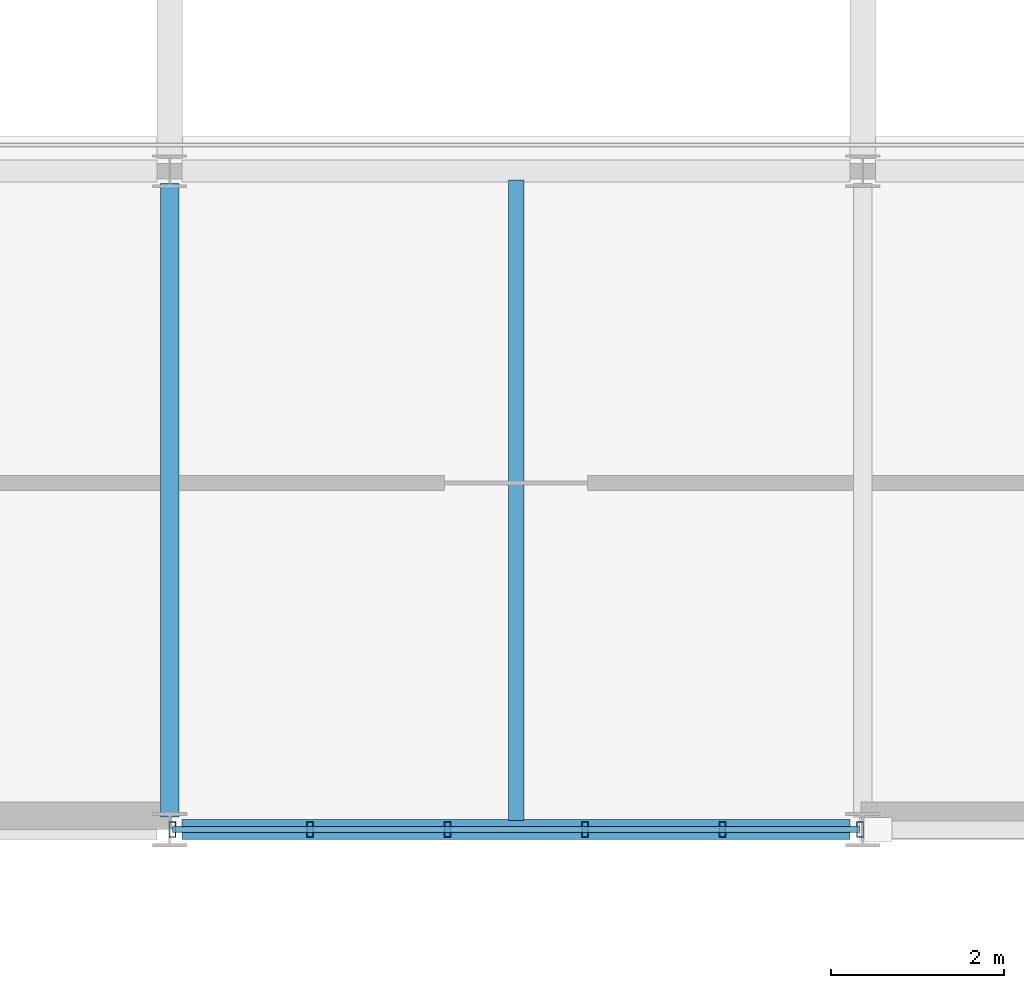
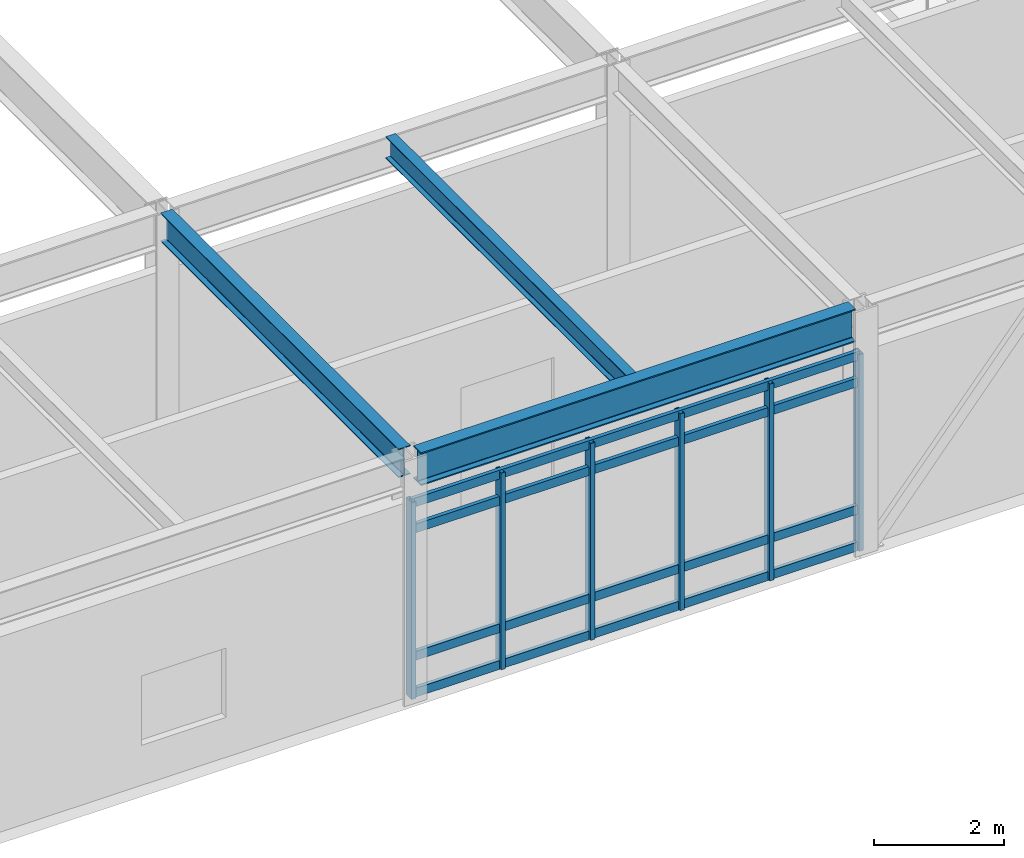
# One storey, part 58 of 104: 10 members, 3 beams, 1 element without a shape of its own.
"""IFC4 building model written with IfcOpenShell, lengths in metres."""

from ifc_helpers import new_model, si_unit, direction, frame, origin, origin_2d, place, context, subcontext, project, spatial, hollow_rectangle, i_section, extrude, material, material_profile, profile_set, type_object, element, aggregate, save


model = new_model("IFC4")

# Units and contexts
model_context = context("Model", 3, precision=1e-05, world=origin(), true_north=direction((0.0, 1.0)))
body_context = subcontext(model_context, "Body", "Model", "MODEL_VIEW")
ifc_project = project(units=[si_unit("LENGTHUNIT", "METRE"), si_unit("AREAUNIT", "SQUARE_METRE"), si_unit("VOLUMEUNIT", "CUBIC_METRE"), si_unit("PLANEANGLEUNIT", "RADIAN"), si_unit("MASSUNIT", "GRAM", prefix="KILO")], contexts=[model_context])

# Site, building, storey
site_placement = place(None, origin())
site = spatial("IfcSite", under=ifc_project, at=site_placement, CompositionType="ELEMENT")
building_placement = place(site_placement, origin())
building = spatial("IfcBuilding", under=site, at=building_placement, Name="Zulena Civic Courthouse", CompositionType="ELEMENT")
storey_placement = place(building_placement, frame((0.0, 0.0, 10.800048828125)))
storey = spatial("IfcBuildingStorey", under=building, at=storey_placement, Name="L02", CompositionType="ELEMENT", Elevation=10.800048828125)

# Curtain wall, members
ifc_material_1 = material(Name="Double-silver low-E laminated solar-control glass", Category="glass")
curtain_wall_type = type_object("IfcCurtainWallType", Name="CW_7940x3690", PredefinedType="USERDEFINED", material=ifc_material_1)
curtain_wall_placement = place(storey_placement, origin())
curtain_wall = element("IfcCurtainWall", 1, at=curtain_wall_placement, inside=storey, type_object=curtain_wall_type, Name="cw:V1:L02:3:3", ObjectType="UNITISED CURTAIN WALL", PredefinedType="USERDEFINED")
ifc_material_2 = material(Name="Bronze anodised thermally broken aluminium AA6063-T6", Category="aluminium")
ifc_material_profile_1 = material_profile(ifc_material_2, hollow_rectangle(XDim=0.074951171875, YDim=0.179931640625, WallThickness=0.0048828125, at=origin_2d()), Name="CWM180X75X5")
ifc_profile_set_1 = profile_set([ifc_material_profile_1], Name="Bronze anodised thermally broken aluminium AA6063-T6")
member_type_1 = type_object("IfcMemberType", Name="CWMullion_180x75", PredefinedType="MULLION", material=ifc_profile_set_1)
member_1_placement = place(storey_placement, frame((147.969970703125, 0.0, 0.0), z_axis=(0.0, 0.0, 1.0), x_axis=(1.0, 0.0, 0.0)))
member_1 = element("IfcMember", 2, at=member_1_placement, type_object=member_type_1, Name="cw:V1:L02:3:3:mull:0", PredefinedType="MULLION", context=body_context, shape_type="SweptSolid", body=[
    extrude(hollow_rectangle(XDim=0.074951171875, YDim=0.179931640625, WallThickness=0.0048828125, at=origin_2d()), origin(), (0.0, 0.0, 1.0), 3.68994140625),
])
member_2_placement = place(storey_placement, frame((146.382080078125, 0.0, 0.0), z_axis=(0.0, 0.0, 1.0), x_axis=(1.0, 0.0, 0.0)))
member_2 = element("IfcMember", 3, at=member_2_placement, type_object=member_type_1, Name="cw:V1:L02:3:3:mull:1", PredefinedType="MULLION", context=body_context, shape_type="SweptSolid", body=[
    extrude(hollow_rectangle(XDim=0.074951171875, YDim=0.179931640625, WallThickness=0.0048828125, at=origin_2d()), origin(), (0.0, 0.0, 1.0), 3.68994140625),
])
member_3_placement = place(storey_placement, frame((144.7939453125, 0.0, 0.0), z_axis=(0.0, 0.0, 1.0), x_axis=(1.0, 0.0, 0.0)))
member_3 = element("IfcMember", 4, at=member_3_placement, type_object=member_type_1, Name="cw:V1:L02:3:3:mull:2", PredefinedType="MULLION", context=body_context, shape_type="SweptSolid", body=[
    extrude(hollow_rectangle(XDim=0.074951171875, YDim=0.179931640625, WallThickness=0.0048828125, at=origin_2d()), origin(), (0.0, 0.0, 1.0), 3.68994140625),
])
member_4_placement = place(storey_placement, frame((143.2060546875, 0.0, 0.0), z_axis=(0.0, 0.0, 1.0), x_axis=(1.0, 0.0, 0.0)))
member_4 = element("IfcMember", 5, at=member_4_placement, type_object=member_type_1, Name="cw:V1:L02:3:3:mull:3", PredefinedType="MULLION", context=body_context, shape_type="SweptSolid", body=[
    extrude(hollow_rectangle(XDim=0.074951171875, YDim=0.179931640625, WallThickness=0.0048828125, at=origin_2d()), origin(), (0.0, 0.0, 1.0), 3.68994140625),
])
member_5_placement = place(storey_placement, frame((141.617919921875, 0.0, 0.0), z_axis=(0.0, 0.0, 1.0), x_axis=(1.0, 0.0, 0.0)))
member_5 = element("IfcMember", 6, at=member_5_placement, type_object=member_type_1, Name="cw:V1:L02:3:3:mull:4", PredefinedType="MULLION", context=body_context, shape_type="SweptSolid", body=[
    extrude(hollow_rectangle(XDim=0.074951171875, YDim=0.179931640625, WallThickness=0.0048828125, at=origin_2d()), origin(), (0.0, 0.0, 1.0), 3.68994140625),
])
member_6_placement = place(storey_placement, frame((140.030029296875, 0.0, 0.0), z_axis=(0.0, 0.0, 1.0), x_axis=(1.0, 0.0, 0.0)))
member_6 = element("IfcMember", 7, at=member_6_placement, type_object=member_type_1, Name="cw:V1:L02:3:3:mull:5", PredefinedType="MULLION", context=body_context, shape_type="SweptSolid", body=[
    extrude(hollow_rectangle(XDim=0.074951171875, YDim=0.179931640625, WallThickness=0.0048828125, at=origin_2d()), origin(), (0.0, 0.0, 1.0), 3.68994140625),
])
ifc_material_profile_2 = material_profile(ifc_material_2, hollow_rectangle(XDim=0.070068359375, YDim=0.1650390625, WallThickness=0.00390625, at=origin_2d()), Name="CWT165X70X4")
ifc_profile_set_2 = profile_set([ifc_material_profile_2], Name="Bronze anodised thermally broken aluminium AA6063-T6")
member_type_2 = type_object("IfcMemberType", Name="CWTransom_165x70", PredefinedType="USERDEFINED", material=ifc_profile_set_2)
member_7_placement = place(storey_placement, frame((147.969970703125, 0.0, 0.06005859375), z_axis=(-1.0, 0.0, 0.0), x_axis=(0.0, -1.0, 0.0)))
member_7 = element("IfcMember", 8, at=member_7_placement, type_object=member_type_2, Name="cw:V1:L02:3:3:tran:0", ObjectType="TRANSOM", PredefinedType="USERDEFINED", context=body_context, shape_type="SweptSolid", body=[
    extrude(hollow_rectangle(XDim=0.070068359375, YDim=0.1650390625, WallThickness=0.00390625, at=origin_2d()), origin(), (0.0, 0.0, 1.0), 7.93994140625),
])
member_8_placement = place(storey_placement, frame((147.969970703125, 0.0, 0.75), z_axis=(-1.0, 0.0, 0.0), x_axis=(0.0, -1.0, 0.0)))
member_8 = element("IfcMember", 9, at=member_8_placement, type_object=member_type_2, Name="cw:V1:L02:3:3:tran:1", ObjectType="TRANSOM", PredefinedType="USERDEFINED", context=body_context, shape_type="SweptSolid", body=[
    extrude(hollow_rectangle(XDim=0.070068359375, YDim=0.1650390625, WallThickness=0.00390625, at=origin_2d()), origin(), (0.0, 0.0, 1.0), 7.93994140625),
])
member_9_placement = place(storey_placement, frame((147.969970703125, 0.0, 3.139892578125), z_axis=(-1.0, 0.0, 0.0), x_axis=(0.0, -1.0, 0.0)))
member_9 = element("IfcMember", 10, at=member_9_placement, type_object=member_type_2, Name="cw:V1:L02:3:3:tran:2", ObjectType="TRANSOM", PredefinedType="USERDEFINED", context=body_context, shape_type="SweptSolid", body=[
    extrude(hollow_rectangle(XDim=0.070068359375, YDim=0.1650390625, WallThickness=0.00390625, at=origin_2d()), origin(), (0.0, 0.0, 1.0), 7.93994140625),
])
member_10_placement = place(storey_placement, frame((147.969970703125, 0.0, 3.6298828125), z_axis=(-1.0, 0.0, 0.0), x_axis=(0.0, -1.0, 0.0)))
member_10 = element("IfcMember", 11, at=member_10_placement, type_object=member_type_2, Name="cw:V1:L02:3:3:tran:3", ObjectType="TRANSOM", PredefinedType="USERDEFINED", context=body_context, shape_type="SweptSolid", body=[
    extrude(hollow_rectangle(XDim=0.070068359375, YDim=0.1650390625, WallThickness=0.00390625, at=origin_2d()), origin(), (0.0, 0.0, 1.0), 7.93994140625),
])
aggregate(curtain_wall, [member_1, member_2, member_3, member_4, member_5, member_6, member_7, member_8, member_9, member_10])

# Beams
ifc_material_3 = material(Name="Steel ASTM A992 Grade 50", Category="steel")
ifc_material_profile_3 = material_profile(ifc_material_3, i_section(OverallWidth=0.177978515625, OverallDepth=0.406005859375, WebThickness=0.0078125, FlangeThickness=0.0126953125, FilletRadius=0.01025390625, at=origin_2d()), Name="W16X40")
ifc_profile_set_3 = profile_set([ifc_material_profile_3], Name="Steel ASTM A992 Grade 50")
beam_type_1 = type_object("IfcBeamType", Name="Joist_W16X40", PredefinedType="JOIST", material=ifc_profile_set_3)
beam_1_placement = place(storey_placement, frame((144.0, 0.10498046875, 4.386962890625), z_axis=(0.0, 1.0, 0.0), x_axis=(-1.0, 0.0, 0.0)))
element("IfcBeam", 12, at=beam_1_placement, inside=storey, type_object=beam_type_1, Name="joist:V1:L02:144.00:0.0_7.6", PredefinedType="JOIST", context=body_context, shape_type="SweptSolid", body=[
    extrude(i_section(OverallWidth=0.177978515625, OverallDepth=0.406005859375, WebThickness=0.0078125, FlangeThickness=0.0126953125, FilletRadius=0.01025390625, at=origin_2d()), origin(), (0.0, 0.0, 1.0), 7.39013671875),
])
ifc_material_profile_4 = material_profile(ifc_material_3, i_section(OverallWidth=0.2099609375, OverallDepth=0.537109375, WebThickness=0.010986328125, FlangeThickness=0.017333984375, FilletRadius=0.0126953125, at=origin_2d()), Name="W21X68")
ifc_profile_set_4 = profile_set([ifc_material_profile_4], Name="Steel ASTM A992 Grade 50")
beam_type_2 = type_object("IfcBeamType", Name="Spandrel_W21X68", PredefinedType="SPANDREL", material=ifc_profile_set_4)
beam_2_placement = place(storey_placement, frame((140.0, 0.14501953125, 4.321533203125), z_axis=(0.0, 1.0, 0.0), x_axis=(-1.0, 0.0, 0.0)))
element("IfcBeam", 13, at=beam_2_placement, inside=storey, type_object=beam_type_2, Name="beam:Y:V1:L02:140.0:0.0_7.6", PredefinedType="SPANDREL", context=body_context, shape_type="SweptSolid", body=[
    extrude(i_section(OverallWidth=0.2099609375, OverallDepth=0.537109375, WebThickness=0.010986328125, FlangeThickness=0.017333984375, FilletRadius=0.0126953125, at=origin_2d()), origin(), (0.0, 0.0, 1.0), 7.31005859375),
])
ifc_material_profile_5 = material_profile(ifc_material_3, i_section(OverallWidth=0.22998046875, OverallDepth=0.616943359375, WebThickness=0.01318359375, FlangeThickness=0.022216796875, FilletRadius=0.0126953125, at=origin_2d()), Name="W24X94")
ifc_profile_set_5 = profile_set([ifc_material_profile_5], Name="Steel ASTM A992 Grade 50")
beam_type_3 = type_object("IfcBeamType", Name="Spandrel_W24X94", PredefinedType="SPANDREL", material=ifc_profile_set_5)
beam_3_placement = place(storey_placement, frame((140.14501953125, 0.0, 4.281494140625), z_axis=(1.0, 0.0, 0.0), x_axis=(0.0, 1.0, 0.0)))
element("IfcBeam", 14, at=beam_3_placement, inside=storey, type_object=beam_type_3, Name="beam:X:V1:L02:0.0:140.0_148.0", PredefinedType="SPANDREL", context=body_context, shape_type="SweptSolid", body=[
    extrude(i_section(OverallWidth=0.22998046875, OverallDepth=0.616943359375, WebThickness=0.01318359375, FlangeThickness=0.022216796875, FilletRadius=0.0126953125, at=origin_2d()), origin(), (0.0, 0.0, 1.0), 7.7099609375),
])

save(model, "model.ifc")
